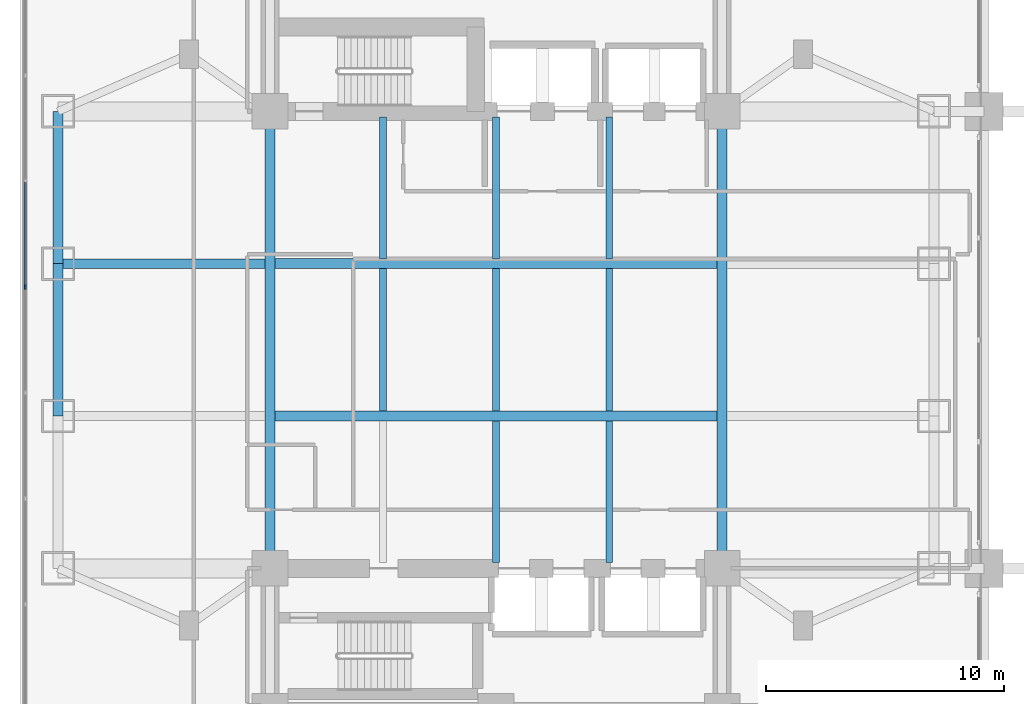
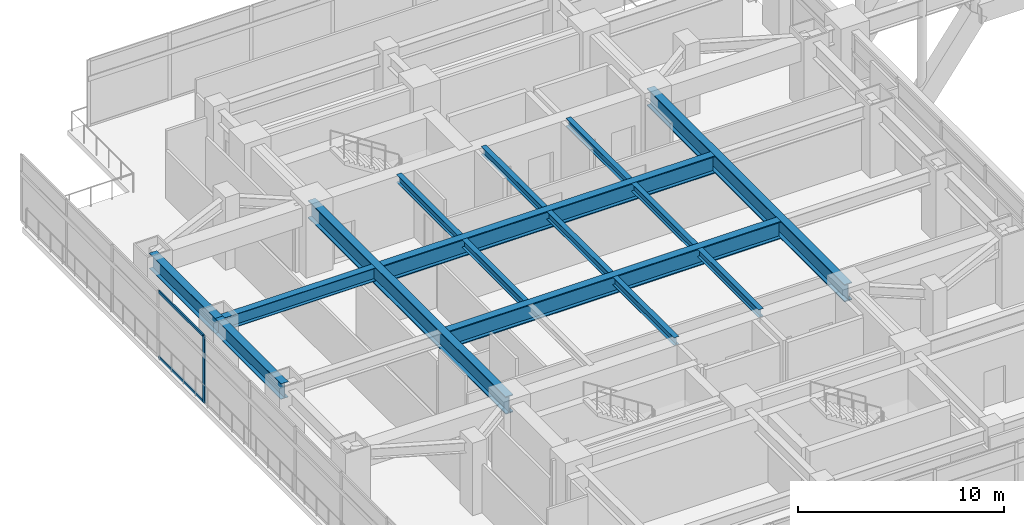
# One storey, part 3 of 30: 15 beams, 3 members, 1 element without a shape of its own.
"""IFC4 building model written with IfcOpenShell, lengths in metres."""

from ifc_helpers import new_model, si_unit, direction, frame, origin, origin_2d, place, context, subcontext, project, spatial, rectangle, i_section, extrude, material, material_profile, profile_set, type_object, element, aggregate, save


model = new_model("IFC4")

# Units and contexts
model_context = context("Model", 3, precision=1e-05, world=origin(), true_north=direction((0.0, 1.0)))
body_context = subcontext(model_context, "Body", "Model", "MODEL_VIEW")
ifc_project = project(units=[si_unit("LENGTHUNIT", "METRE"), si_unit("AREAUNIT", "SQUARE_METRE"), si_unit("VOLUMEUNIT", "CUBIC_METRE"), si_unit("PLANEANGLEUNIT", "RADIAN"), si_unit("MASSUNIT", "GRAM", prefix="KILO")], contexts=[model_context])

# Site, building, storey
site_placement = place(None, origin())
site = spatial("IfcSite", under=ifc_project, at=site_placement, CompositionType="ELEMENT")
building_placement = place(site_placement, origin())
building = spatial("IfcBuilding", under=site, at=building_placement, Name="Mirazonda Arch Towers", CompositionType="ELEMENT")
storey_placement = place(building_placement, frame((0.0, 0.0, 9.5)))
storey = spatial("IfcBuildingStorey", under=building, at=storey_placement, Name="L02", CompositionType="ELEMENT", Elevation=9.5)

# Beams
ifc_material_1 = material(Name="Steel ASTM A992 Grade 50", Category="steel")
ifc_material_profile_1 = material_profile(ifc_material_1, i_section(OverallWidth=0.41796875, OverallDepth=0.927001953125, WebThickness=0.019287109375, FlangeThickness=0.031982421875, at=origin_2d()), Name="W36X231")
ifc_profile_set_1 = profile_set([ifc_material_profile_1], Name="Steel ASTM A992 Grade 50")
beam_type_1 = type_object("IfcBeamType", Name="BM-EXT-W36X231", PredefinedType="USERDEFINED", material=ifc_profile_set_1)
beam_1_placement = place(storey_placement, frame((2.10009765625, 24.800048828125, 3.5166015625), z_axis=(0.0, 1.0, 0.0), x_axis=(-1.0, 0.0, 0.0)))
element("IfcBeam", 1, at=beam_1_placement, inside=storey, type_object=beam_type_1, Name="L02 Floor Beam BM-T1-L02-NS-W-24", ObjectType="GIRDER", PredefinedType="USERDEFINED", context=body_context, shape_type="SweptSolid", body=[
    extrude(i_section(OverallWidth=0.41796875, OverallDepth=0.927001953125, WebThickness=0.019287109375, FlangeThickness=0.031982421875, at=origin_2d()), origin(), (0.0, 0.0, 1.0), 6.39990234375),
])
beam_2_placement = place(storey_placement, frame((2.10009765625, 31.199951171875, 3.5166015625), z_axis=(0.0, 1.0, 0.0), x_axis=(-1.0, 0.0, 0.0)))
element("IfcBeam", 2, at=beam_2_placement, inside=storey, type_object=beam_type_1, Name="L02 Floor Beam BM-T1-L02-NS-W-31", ObjectType="GIRDER", PredefinedType="USERDEFINED", context=body_context, shape_type="SweptSolid", body=[
    extrude(i_section(OverallWidth=0.41796875, OverallDepth=0.927001953125, WebThickness=0.019287109375, FlangeThickness=0.031982421875, at=origin_2d()), origin(), (0.0, 0.0, 1.0), 6.400146484375),
])
ifc_material_profile_2 = material_profile(ifc_material_1, i_section(OverallWidth=0.280029296875, OverallDepth=0.462890625, WebThickness=0.0107421875, FlangeThickness=0.017333984375, at=origin_2d()), Name="W18X76")
ifc_profile_set_2 = profile_set([ifc_material_profile_2], Name="Steel ASTM A992 Grade 50")
beam_type_2 = type_object("IfcBeamType", Name="BM-INT-W18X76", PredefinedType="JOIST", material=ifc_profile_set_2)
beam_3_placement = place(storey_placement, frame((15.75, 31.406005859375, 3.74853515625), z_axis=(0.0, 1.0, 0.0), x_axis=(-1.0, 0.0, 0.0)))
element("IfcBeam", 3, at=beam_3_placement, inside=storey, type_object=beam_type_2, Name="L02 Floor Beam BM-T1-L02-J-157-31", PredefinedType="JOIST", context=body_context, shape_type="SweptSolid", body=[
    extrude(i_section(OverallWidth=0.280029296875, OverallDepth=0.462890625, WebThickness=0.0107421875, FlangeThickness=0.017333984375, at=origin_2d()), origin(), (0.0, 0.0, 1.0), 5.9541015625),
])
beam_4_placement = place(storey_placement, frame((15.75, 25.006103515625, 3.74853515625), z_axis=(0.0, 1.0, 0.0), x_axis=(-1.0, 0.0, 0.0)))
element("IfcBeam", 4, at=beam_4_placement, inside=storey, type_object=beam_type_2, Name="L02 Floor Beam BM-T1-L02-J-157-24", PredefinedType="JOIST", context=body_context, shape_type="SweptSolid", body=[
    extrude(i_section(OverallWidth=0.280029296875, OverallDepth=0.462890625, WebThickness=0.0107421875, FlangeThickness=0.017333984375, at=origin_2d()), origin(), (0.0, 0.0, 1.0), 5.98779296875),
])
for number, where, z_axis, x_axis, name in (
    (5, (20.5, 18.639892578125, 3.74853515625), (0.0, 1.0, 0.0), (-1.0, 0.0, 0.0), "L02 Floor Beam BM-T1-L02-J-205-18"),
    (6, (20.5, 31.406005859375, 3.74853515625), (0.0, 1.0, 0.0), (-1.0, 0.0, 0.0), "L02 Floor Beam BM-T1-L02-J-205-31"),
):
    element("IfcBeam", number, at=place(storey_placement, frame(where, z_axis=z_axis, x_axis=x_axis)), inside=storey, type_object=beam_type_2, Name=name, PredefinedType="JOIST", context=body_context, shape_type="SweptSolid", body=[
        extrude(i_section(OverallWidth=0.280029296875, OverallDepth=0.462890625, WebThickness=0.0107421875, FlangeThickness=0.017333984375, at=origin_2d()), origin(), (0.0, 0.0, 1.0), 5.9541015625),
    ])
beam_5_placement = place(storey_placement, frame((20.5, 25.006103515625, 3.74853515625), z_axis=(0.0, 1.0, 0.0), x_axis=(-1.0, 0.0, 0.0)))
element("IfcBeam", 7, at=beam_5_placement, inside=storey, type_object=beam_type_2, Name="L02 Floor Beam BM-T1-L02-J-205-24", PredefinedType="JOIST", context=body_context, shape_type="SweptSolid", body=[
    extrude(i_section(OverallWidth=0.280029296875, OverallDepth=0.462890625, WebThickness=0.0107421875, FlangeThickness=0.017333984375, at=origin_2d()), origin(), (0.0, 0.0, 1.0), 5.98779296875),
])
for number, where, z_axis, x_axis, name in (
    (8, (25.25, 18.639892578125, 3.74853515625), (0.0, 1.0, 0.0), (-1.0, 0.0, 0.0), "L02 Floor Beam BM-T1-L02-J-252-18"),
    (9, (25.25, 31.406005859375, 3.74853515625), (0.0, 1.0, 0.0), (-1.0, 0.0, 0.0), "L02 Floor Beam BM-T1-L02-J-252-31"),
):
    element("IfcBeam", number, at=place(storey_placement, frame(where, z_axis=z_axis, x_axis=x_axis)), inside=storey, type_object=beam_type_2, Name=name, PredefinedType="JOIST", context=body_context, shape_type="SweptSolid", body=[
        extrude(i_section(OverallWidth=0.280029296875, OverallDepth=0.462890625, WebThickness=0.0107421875, FlangeThickness=0.017333984375, at=origin_2d()), origin(), (0.0, 0.0, 1.0), 5.9541015625),
    ])
beam_6_placement = place(storey_placement, frame((25.25, 25.006103515625, 3.74853515625), z_axis=(0.0, 1.0, 0.0), x_axis=(-1.0, 0.0, 0.0)))
element("IfcBeam", 10, at=beam_6_placement, inside=storey, type_object=beam_type_2, Name="L02 Floor Beam BM-T1-L02-J-252-24", PredefinedType="JOIST", context=body_context, shape_type="SweptSolid", body=[
    extrude(i_section(OverallWidth=0.280029296875, OverallDepth=0.462890625, WebThickness=0.0107421875, FlangeThickness=0.017333984375, at=origin_2d()), origin(), (0.0, 0.0, 1.0), 5.98779296875),
])
ifc_material_profile_3 = material_profile(ifc_material_1, i_section(OverallWidth=0.381103515625, OverallDepth=0.77294921875, WebThickness=0.0166015625, FlangeThickness=0.027099609375, at=origin_2d()), Name="W30X173")
ifc_profile_set_3 = profile_set([ifc_material_profile_3], Name="Steel ASTM A992 Grade 50")
beam_type_3 = type_object("IfcBeamType", Name="BM-INT-W30X173", PredefinedType="USERDEFINED", material=ifc_profile_set_3)
beam_7_placement = place(storey_placement, frame((2.10009765625, 31.199951171875, 3.593505859375), z_axis=(1.0, 0.0, 0.0), x_axis=(0.0, 1.0, 0.0)))
element("IfcBeam", 11, at=beam_7_placement, inside=storey, type_object=beam_type_3, Name="L02 Floor Beam BM-T1-L02-GW3", ObjectType="GIRDER", PredefinedType="USERDEFINED", context=body_context, shape_type="SweptSolid", body=[
    extrude(i_section(OverallWidth=0.381103515625, OverallDepth=0.77294921875, WebThickness=0.0166015625, FlangeThickness=0.027099609375, at=origin_2d()), origin(), (0.0, 0.0, 1.0), 8.68994140625),
])
ifc_material_profile_4 = material_profile(ifc_material_1, i_section(OverallWidth=0.419921875, OverallDepth=1.0400390625, WebThickness=0.031005859375, FlangeThickness=0.055908203125, at=origin_2d()), Name="W40X397")
ifc_profile_set_4 = profile_set([ifc_material_profile_4], Name="Steel ASTM A992 Grade 50")
beam_type_4 = type_object("IfcBeamType", Name="BM-INT-W40X397", PredefinedType="USERDEFINED", material=ifc_profile_set_4)
for number, where, z_axis, x_axis, name in (
    (12, (11.2099609375, 24.800048828125, 3.4599609375), (1.0, 0.0, 0.0), (0.0, 1.0, 0.0), "L02 Floor Beam BM-T1-L02-GC2"),
    (13, (11.2099609375, 31.199951171875, 3.4599609375), (1.0, 0.0, 0.0), (0.0, 1.0, 0.0), "L02 Floor Beam BM-T1-L02-GC3"),
):
    element("IfcBeam", number, at=place(storey_placement, frame(where, z_axis=z_axis, x_axis=x_axis)), inside=storey, type_object=beam_type_4, Name=name, ObjectType="GIRDER", PredefinedType="USERDEFINED", context=body_context, shape_type="SweptSolid", body=[
        extrude(i_section(OverallWidth=0.419921875, OverallDepth=1.0400390625, WebThickness=0.031005859375, FlangeThickness=0.055908203125, at=origin_2d()), origin(), (0.0, 0.0, 1.0), 18.580078125),
    ])
for number, where, z_axis, x_axis, name in (
    (14, (11.0, 18.39990234375, 3.4599609375), (0.0, 1.0, 0.0), (-1.0, 0.0, 0.0), "L02 Floor Beam BM-T1-L02-NS-CW-FULL"),
    (15, (30.0, 18.39990234375, 3.4599609375), (0.0, 1.0, 0.0), (-1.0, 0.0, 0.0), "L02 Floor Beam BM-T1-L02-NS-CE-FULL"),
):
    element("IfcBeam", number, at=place(storey_placement, frame(where, z_axis=z_axis, x_axis=x_axis)), inside=storey, type_object=beam_type_4, Name=name, ObjectType="GIRDER", PredefinedType="USERDEFINED", context=body_context, shape_type="SweptSolid", body=[
        extrude(i_section(OverallWidth=0.419921875, OverallDepth=1.0400390625, WebThickness=0.031005859375, FlangeThickness=0.055908203125, at=origin_2d()), origin(), (0.0, 0.0, 1.0), 19.2001953125),
    ])

# Curtain wall, members
ifc_material_2 = material(Name="Anodised Aluminium and Low-E Glass", Category="aluminium")
curtain_wall_type = type_object("IfcCurtainWallType", Name="CW-POD-STORE", PredefinedType="NOTDEFINED", material=ifc_material_2)
curtain_wall_placement = place(storey_placement, origin())
curtain_wall = element("IfcCurtainWall", 16, at=curtain_wall_placement, inside=storey, type_object=curtain_wall_type, Name="L02 Curtain Wall CW-L02-WW", PredefinedType="NOTDEFINED")
ifc_material_3 = material(Name="Anodised Aluminium Alloy", Category="aluminium")
ifc_material_profile_5 = material_profile(ifc_material_3, rectangle(XDim=0.080078125, YDim=0.179931640625, at=origin_2d()), Name="ALU-MULL-80x180")
ifc_profile_set_5 = profile_set([ifc_material_profile_5], Name="Anodised Aluminium Alloy")
member_type_1 = type_object("IfcMemberType", Name="MULL-CW-POD-STORE", PredefinedType="MULLION", material=ifc_profile_set_5)
member_1_placement = place(storey_placement, frame((0.719970703125, 30.22216796875, 0.0), z_axis=(0.0, 0.0, 1.0), x_axis=(1.0, 0.0, 0.0)))
member_1 = element("IfcMember", 17, at=member_1_placement, type_object=member_type_1, Name="CW-102 mullion 5", PredefinedType="MULLION", context=body_context, shape_type="SweptSolid", body=[
    extrude(rectangle(XDim=0.080078125, YDim=0.179931640625, at=origin_2d()), origin(), (0.0, 0.0, 1.0), 3.9599609375),
])
ifc_material_profile_6 = material_profile(ifc_material_3, rectangle(XDim=0.080078125, YDim=0.159912109375, at=origin_2d()), Name="ALU-TRAN-80x160")
ifc_profile_set_6 = profile_set([ifc_material_profile_6], Name="Anodised Aluminium Alloy")
member_type_2 = type_object("IfcMemberType", Name="TRAN-CW-POD-STORE", PredefinedType="USERDEFINED", material=ifc_profile_set_6)
member_2_placement = place(storey_placement, frame((0.719970703125, 34.626708984375, 0.0400390625), z_axis=(0.0, -1.0, 0.0), x_axis=(1.0, 0.0, 0.0)))
member_2 = element("IfcMember", 18, at=member_2_placement, type_object=member_type_2, Name="CW-102 transom 4.1", ObjectType="TRANSOM", PredefinedType="USERDEFINED", context=body_context, shape_type="SweptSolid", body=[
    extrude(rectangle(XDim=0.080078125, YDim=0.159912109375, at=origin_2d()), origin(), (0.0, 0.0, 1.0), 4.364501953125),
])
member_3_placement = place(storey_placement, frame((0.719970703125, 34.626708984375, 3.919921875), z_axis=(0.0, -1.0, 0.0), x_axis=(1.0, 0.0, 0.0)))
member_3 = element("IfcMember", 19, at=member_3_placement, type_object=member_type_2, Name="CW-102 transom 4.2", ObjectType="TRANSOM", PredefinedType="USERDEFINED", context=body_context, shape_type="SweptSolid", body=[
    extrude(rectangle(XDim=0.080078125, YDim=0.159912109375, at=origin_2d()), origin(), (0.0, 0.0, 1.0), 4.364501953125),
])
aggregate(curtain_wall, [member_1, member_2, member_3])

save(model, "model.ifc")
